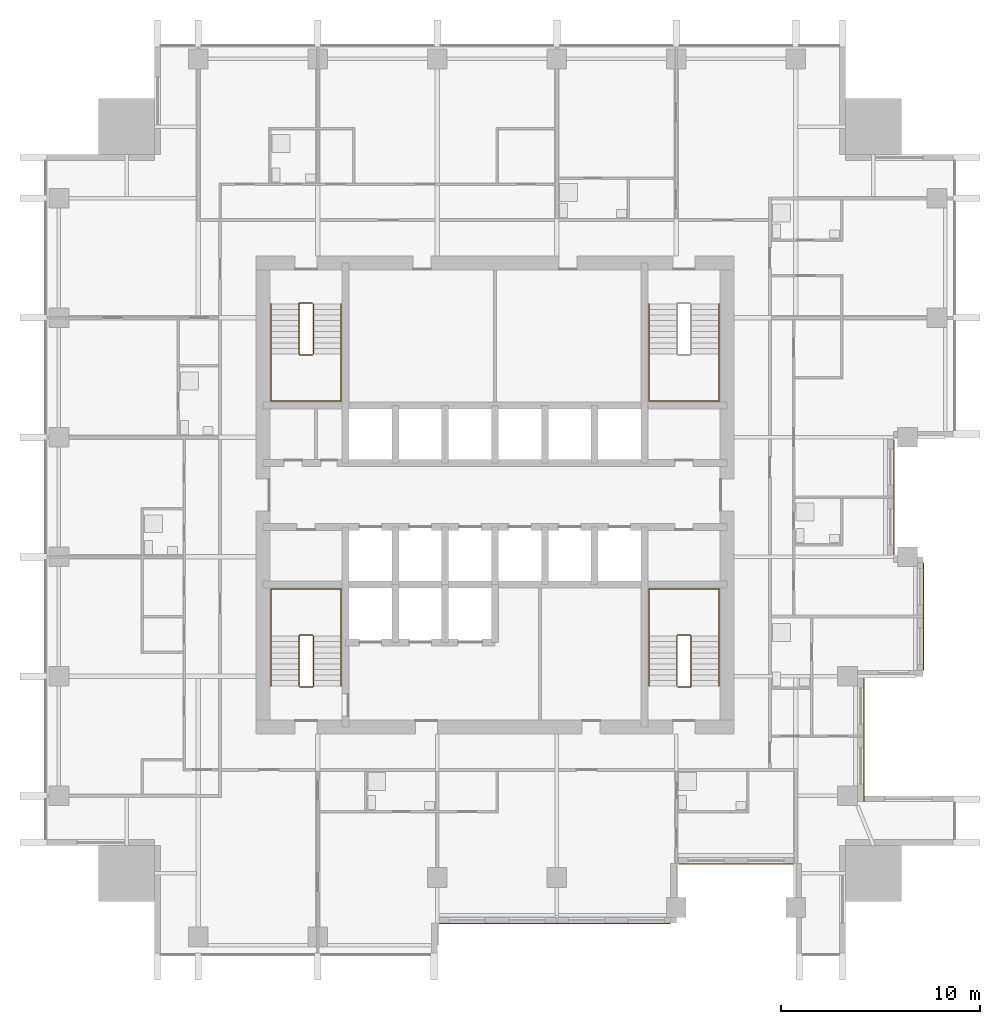
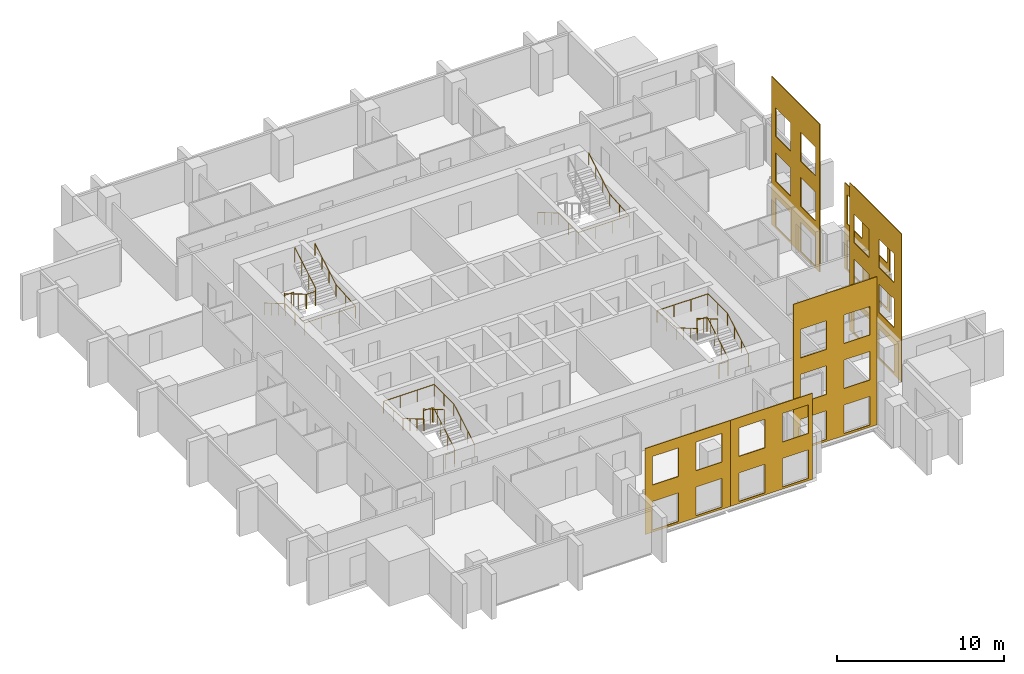
# One storey, part 9 of 11: 7 railings, 6 coverings.
"""IFC4 building model written with IfcOpenShell, lengths in metres."""

from ifc_helpers import new_model, si_unit, direction, frame, origin, origin_2d, place, context, subcontext, project, spatial, polyline, circle, outline, extrude, material, layer, layer_set, type_object, element, save


model = new_model("IFC4")

# Units and contexts
model_context = context("Model", 3, precision=1e-05, world=origin(), true_north=direction((0.0, 1.0)))
body_context = subcontext(model_context, "Body", "Model", "MODEL_VIEW")
ifc_project = project(units=[si_unit("LENGTHUNIT", "METRE"), si_unit("AREAUNIT", "SQUARE_METRE"), si_unit("VOLUMEUNIT", "CUBIC_METRE"), si_unit("PLANEANGLEUNIT", "RADIAN"), si_unit("MASSUNIT", "GRAM", prefix="KILO")], contexts=[model_context])

# Site, building, storey
site_placement = place(None, origin())
site = spatial("IfcSite", under=ifc_project, at=site_placement, CompositionType="ELEMENT")
building_placement = place(site_placement, origin())
building = spatial("IfcBuilding", under=site, at=building_placement, Name="Amberfall Residences", CompositionType="ELEMENT")
storey_placement = place(building_placement, frame((0.0, 0.0, 143.800048828125)))
storey = spatial("IfcBuildingStorey", under=building, at=storey_placement, Name="L38", CompositionType="ELEMENT", Elevation=143.800048828125)

# Coverings
ifc_material_1 = material(Name="Pale limestone cladding", Category="masonry")
ifc_layer = layer(ifc_material_1, 0.050048828125)
ifc_layer_set = layer_set([ifc_layer], Name="Limestone fascia 50")
covering_type = type_object("IfcCoveringType", Name="Limestone fascia 50", PredefinedType="CLADDING", material=ifc_layer_set)
covering_1_placement = place(storey_placement, frame((93.0, 30.10009765625, 10.849853515625), z_axis=(-1.0, 0.0, 0.0), x_axis=(0.0, 1.0, 0.0)))
element("IfcCovering", 1, at=covering_1_placement, inside=storey, type_object=covering_type, Name="Pale limestone cladding L38-L40 E", PredefinedType="CLADDING", context=body_context, shape_type="SweptSolid", body=[
    extrude(outline(polyline([(0.0, 0.0), (6.2099609375, 0.0), (6.2099609375, 10.849853515625), (0.0, 10.849853515625), (0.0, 0.0)]), holes=[polyline([(0.89990234375, 8.599853515625), (2.699951171875, 8.599853515625), (2.699951171875, 10.699951171875), (0.89990234375, 10.699951171875), (0.89990234375, 8.599853515625)]), polyline([(3.89990234375, 8.599853515625), (5.699951171875, 8.599853515625), (5.699951171875, 10.699951171875), (3.89990234375, 10.699951171875), (3.89990234375, 8.599853515625)]), polyline([(0.89990234375, 5.2998046875), (2.699951171875, 5.2998046875), (2.699951171875, 7.39990234375), (0.89990234375, 7.39990234375), (0.89990234375, 5.2998046875)]), polyline([(3.89990234375, 5.2998046875), (5.699951171875, 5.2998046875), (5.699951171875, 7.39990234375), (3.89990234375, 7.39990234375), (3.89990234375, 5.2998046875)]), polyline([(0.89990234375, 2.0), (2.699951171875, 2.0), (2.699951171875, 4.099853515625), (0.89990234375, 4.099853515625), (0.89990234375, 2.0)]), polyline([(3.89990234375, 2.0), (5.699951171875, 2.0), (5.699951171875, 4.099853515625), (3.89990234375, 4.099853515625), (3.89990234375, 2.0)])]), origin(), (0.0, 0.0, -1.0), 0.050048828125),
])
covering_2_placement = place(storey_placement, frame((71.68994140625, 24.0, 6.300048828125), z_axis=(0.0, 1.0, 0.0), x_axis=(1.0, 0.0, 0.0)))
element("IfcCovering", 2, at=covering_2_placement, inside=storey, type_object=covering_type, Name="Pale limestone cladding L38-L39 S", PredefinedType="CLADDING", context=body_context, shape_type="SweptSolid", body=[
    extrude(outline(polyline([(0.0, 0.0), (5.91015625, 0.0), (5.91015625, 6.300048828125), (0.0, 6.300048828125), (0.0, 0.0)]), holes=[polyline([(0.510009765625, 4.050048828125), (2.31005859375, 4.050048828125), (2.31005859375, 6.150146484375), (0.510009765625, 6.150146484375), (0.510009765625, 4.050048828125)]), polyline([(3.510009765625, 4.050048828125), (5.31005859375, 4.050048828125), (5.31005859375, 6.150146484375), (3.510009765625, 6.150146484375), (3.510009765625, 4.050048828125)]), polyline([(0.510009765625, 0.75), (2.31005859375, 0.75), (2.31005859375, 2.85009765625), (0.510009765625, 2.85009765625), (0.510009765625, 0.75)]), polyline([(3.510009765625, 0.75), (5.31005859375, 0.75), (5.31005859375, 2.85009765625), (3.510009765625, 2.85009765625), (3.510009765625, 0.75)])]), origin(), (0.0, 0.0, -1.0), 0.050048828125),
])
covering_3_placement = place(storey_placement, frame((77.60009765625, 24.0, 6.300048828125), z_axis=(0.0, 1.0, 0.0), x_axis=(1.0, 0.0, 0.0)))
element("IfcCovering", 3, at=covering_3_placement, inside=storey, type_object=covering_type, Name="Pale limestone cladding L38-L39 S", PredefinedType="CLADDING", context=body_context, shape_type="SweptSolid", body=[
    extrude(outline(polyline([(0.0, 0.0), (5.699951171875, 0.0), (5.699951171875, 6.300048828125), (0.0, 6.300048828125), (0.0, 0.0)]), holes=[polyline([(0.599853515625, 4.050048828125), (2.39990234375, 4.050048828125), (2.39990234375, 6.150146484375), (0.599853515625, 6.150146484375), (0.599853515625, 4.050048828125)]), polyline([(3.599853515625, 4.050048828125), (5.39990234375, 4.050048828125), (5.39990234375, 6.150146484375), (3.599853515625, 6.150146484375), (3.599853515625, 4.050048828125)]), polyline([(0.599853515625, 0.75), (2.39990234375, 0.75), (2.39990234375, 2.85009765625), (0.599853515625, 2.85009765625), (0.599853515625, 0.75)]), polyline([(3.599853515625, 0.75), (5.39990234375, 0.75), (5.39990234375, 2.85009765625), (3.599853515625, 2.85009765625), (3.599853515625, 0.75)])]), origin(), (0.0, 0.0, -1.0), 0.050048828125),
])
covering_4_placement = place(storey_placement, frame((83.699951171875, 27.0, 10.849853515625), z_axis=(0.0, 1.0, 0.0), x_axis=(1.0, 0.0, 0.0)))
element("IfcCovering", 4, at=covering_4_placement, inside=storey, type_object=covering_type, Name="Pale limestone cladding L38-L40 S", PredefinedType="CLADDING", context=body_context, shape_type="SweptSolid", body=[
    extrude(outline(polyline([(0.0, 0.0), (5.7900390625, 0.0), (5.7900390625, 10.849853515625), (0.0, 10.849853515625), (0.0, 0.0)]), holes=[polyline([(0.5, 8.599853515625), (2.300048828125, 8.599853515625), (2.300048828125, 10.699951171875), (0.5, 10.699951171875), (0.5, 8.599853515625)]), polyline([(3.5, 8.599853515625), (5.300048828125, 8.599853515625), (5.300048828125, 10.699951171875), (3.5, 10.699951171875), (3.5, 8.599853515625)]), polyline([(0.5, 5.2998046875), (2.300048828125, 5.2998046875), (2.300048828125, 7.39990234375), (0.5, 7.39990234375), (0.5, 5.2998046875)]), polyline([(3.5, 5.2998046875), (5.300048828125, 5.2998046875), (5.300048828125, 7.39990234375), (3.5, 7.39990234375), (3.5, 5.2998046875)]), polyline([(0.5, 2.0), (2.300048828125, 2.0), (2.300048828125, 4.099853515625), (0.5, 4.099853515625), (0.5, 2.0)]), polyline([(3.5, 2.0), (5.300048828125, 2.0), (5.300048828125, 4.099853515625), (3.5, 4.099853515625), (3.5, 2.0)])]), origin(), (0.0, 0.0, -1.0), 0.050048828125),
])
covering_5_placement = place(storey_placement, frame((96.0, 36.699951171875, 6.300048828125), z_axis=(-1.0, 0.0, 0.0), x_axis=(0.0, 1.0, 0.0)))
element("IfcCovering", 5, at=covering_5_placement, inside=storey, type_object=covering_type, Name="Pale limestone cladding L38-L39 E", PredefinedType="CLADDING", context=body_context, shape_type="SweptSolid", body=[
    extrude(outline(polyline([(0.0, 0.0), (5.400146484375, 0.0), (5.400146484375, 6.300048828125), (0.0, 6.300048828125), (0.0, 0.0)]), holes=[polyline([(0.300048828125, 4.050048828125), (2.10009765625, 4.050048828125), (2.10009765625, 6.150146484375), (0.300048828125, 6.150146484375), (0.300048828125, 4.050048828125)]), polyline([(3.300048828125, 4.050048828125), (5.10009765625, 4.050048828125), (5.10009765625, 6.150146484375), (3.300048828125, 6.150146484375), (3.300048828125, 4.050048828125)]), polyline([(0.300048828125, 0.75), (2.10009765625, 0.75), (2.10009765625, 2.85009765625), (0.300048828125, 2.85009765625), (0.300048828125, 0.75)]), polyline([(3.300048828125, 0.75), (5.10009765625, 0.75), (5.10009765625, 2.85009765625), (3.300048828125, 2.85009765625), (3.300048828125, 0.75)])]), origin(), (0.0, 0.0, -1.0), 0.050048828125),
])
covering_6_placement = place(storey_placement, frame((94.5, 42.5, 10.849853515625), z_axis=(-1.0, 0.0, 0.0), x_axis=(0.0, 1.0, 0.0)))
element("IfcCovering", 6, at=covering_6_placement, inside=storey, type_object=covering_type, Name="Pale limestone cladding L38-L40 E", PredefinedType="CLADDING", context=body_context, shape_type="SweptSolid", body=[
    extrude(outline(polyline([(0.0, 0.0), (5.800048828125, 0.0), (5.800048828125, 10.849853515625), (0.0, 10.849853515625), (0.0, 0.0)]), holes=[polyline([(0.5, 8.599853515625), (2.300048828125, 8.599853515625), (2.300048828125, 10.699951171875), (0.5, 10.699951171875), (0.5, 8.599853515625)]), polyline([(3.5, 8.599853515625), (5.300048828125, 8.599853515625), (5.300048828125, 10.699951171875), (3.5, 10.699951171875), (3.5, 8.599853515625)]), polyline([(0.5, 5.2998046875), (2.300048828125, 5.2998046875), (2.300048828125, 7.39990234375), (0.5, 7.39990234375), (0.5, 5.2998046875)]), polyline([(3.5, 5.2998046875), (5.300048828125, 5.2998046875), (5.300048828125, 7.39990234375), (3.5, 7.39990234375), (3.5, 5.2998046875)]), polyline([(0.5, 2.0), (2.300048828125, 2.0), (2.300048828125, 4.099853515625), (0.5, 4.099853515625), (0.5, 2.0)]), polyline([(3.5, 2.0), (5.300048828125, 2.0), (5.300048828125, 4.099853515625), (3.5, 4.099853515625), (3.5, 2.0)])]), origin(), (0.0, 0.0, -1.0), 0.050048828125),
])

# Railings
ifc_material_2 = material(Name="Stainless steel 316", Category="steel")
railing_type_1 = type_object("IfcRailingType", Name="Stair guard 1100", PredefinedType="GUARDRAIL", material=ifc_material_2)
railing_1_placement = place(storey_placement, frame((64.699951171875, 35.85009765625, 0.0)))
element("IfcRailing", 7, at=railing_1_placement, inside=storey, type_object=railing_type_1, Name="L38 stair 1 guard", PredefinedType="GUARDRAIL", context=body_context, shape_type="SweptSolid", body=[
    extrude(circle(Radius=0.02392578125, at=origin_2d()), frame((0.0, 0.0, 1.076171875), z_axis=(1.0, 0.0, 0.0), x_axis=(0.0, 1.0, 0.0)), (0.0, 0.0, 1.0), 0.625),
    extrude(circle(Radius=0.02392578125, at=origin_2d()), frame((0.625, 0.0, 1.076171875), z_axis=(0.278810427259, 0.277450376394, 0.919394384522), x_axis=(-0.705375805398, 0.708833529934, 0.0)), (0.0, 0.0, 1.0), 0.179443359375),
    extrude(circle(Radius=0.02392578125, at=origin_2d()), frame((0.675048828125, 0.0498046875, 1.2412109375), z_axis=(0.0, 0.861560626758, 0.507654692109), x_axis=(-1.0, 0.0, 0.0)), (0.0, 0.0, 1.0), 2.925048828125),
    extrude(circle(Radius=0.02392578125, at=origin_2d()), frame((0.675048828125, 2.56982421875, 2.72607421875), z_axis=(-0.707106781187, 0.707106781187, 0.0), x_axis=(-0.707106781187, -0.707106781187, 0.0)), (0.0, 0.0, 1.0), 0.07080078125),
    extrude(circle(Radius=0.02392578125, at=origin_2d()), frame((0.625, 2.619873046875, 2.72607421875), z_axis=(-1.0, 0.0, 0.0), x_axis=(0.0, -1.0, 0.0)), (0.0, 0.0, 1.0), 0.625),
    extrude(circle(Radius=0.02392578125, at=origin_2d()), frame((0.0, 2.619873046875, 2.72607421875), z_axis=(-0.278705021027, -0.278705021027, 0.919046801044), x_axis=(0.707106781187, -0.707106781187, 0.0)), (0.0, 0.0, 1.0), 0.1796875),
    extrude(circle(Radius=0.02392578125, at=origin_2d()), frame((-0.050048828125, 2.56982421875, 2.89111328125), z_axis=(0.0, -0.86152411907, 0.507716645641), x_axis=(1.0, 0.0, 0.0)), (0.0, 0.0, 1.0), 2.925048828125),
    extrude(circle(Radius=0.02099609375, at=origin_2d()), origin(), (0.0, 0.0, 1.0), 1.052001953125),
    extrude(circle(Radius=0.02099609375, at=origin_2d()), frame((0.625, 0.0, 0.0)), (0.0, 0.0, 1.0), 1.052001953125),
    extrude(circle(Radius=0.02099609375, at=origin_2d()), frame((0.675048828125, 0.0498046875, 0.1650390625)), (0.0, 0.0, 1.0), 1.052001953125),
    extrude(circle(Radius=0.02099609375, at=origin_2d()), frame((0.675048828125, 0.889892578125, 0.659912109375)), (0.0, 0.0, 1.0), 1.052001953125),
    extrude(circle(Radius=0.02099609375, at=origin_2d()), frame((0.675048828125, 1.729736328125, 1.155029296875)), (0.0, 0.0, 1.0), 1.052001953125),
    extrude(circle(Radius=0.02099609375, at=origin_2d()), frame((0.675048828125, 2.56982421875, 1.64990234375)), (0.0, 0.0, 1.0), 1.052001953125),
    extrude(circle(Radius=0.02099609375, at=origin_2d()), frame((0.625, 2.619873046875, 1.64990234375)), (0.0, 0.0, 1.0), 1.052001953125),
    extrude(circle(Radius=0.02099609375, at=origin_2d()), frame((0.0, 2.619873046875, 1.64990234375)), (0.0, 0.0, 1.0), 1.052001953125),
    extrude(circle(Radius=0.02099609375, at=origin_2d()), frame((-0.050048828125, 2.56982421875, 1.81494140625)), (0.0, 0.0, 1.0), 1.052001953125),
    extrude(circle(Radius=0.02099609375, at=origin_2d()), frame((-0.050048828125, 1.729736328125, 2.31005859375)), (0.0, 0.0, 1.0), 1.052001953125),
    extrude(circle(Radius=0.02099609375, at=origin_2d()), frame((-0.050048828125, 0.889892578125, 2.804931640625)), (0.0, 0.0, 1.0), 1.052001953125),
    extrude(circle(Radius=0.02099609375, at=origin_2d()), frame((-0.050048828125, 0.0498046875, 3.300048828125)), (0.0, 0.0, 1.0), 1.052001953125),
])
railing_2_placement = place(storey_placement, frame((83.675048828125, 35.85009765625, 0.0)))
element("IfcRailing", 8, at=railing_2_placement, inside=storey, type_object=railing_type_1, Name="L38 stair 2 guard", PredefinedType="GUARDRAIL", context=body_context, shape_type="SweptSolid", body=[
    extrude(circle(Radius=0.02392578125, at=origin_2d()), frame((0.0, 0.0, 1.076171875), z_axis=(1.0, 0.0, 0.0), x_axis=(0.0, 1.0, 0.0)), (0.0, 0.0, 1.0), 0.625),
    extrude(circle(Radius=0.02392578125, at=origin_2d()), frame((0.625, 0.0, 1.076171875), z_axis=(0.278810427259, 0.277450376394, 0.919394384522), x_axis=(-0.705375805398, 0.708833529934, 0.0)), (0.0, 0.0, 1.0), 0.179443359375),
    extrude(circle(Radius=0.02392578125, at=origin_2d()), frame((0.675048828125, 0.0498046875, 1.2412109375), z_axis=(0.0, 0.861560626758, 0.507654692109), x_axis=(-1.0, 0.0, 0.0)), (0.0, 0.0, 1.0), 2.925048828125),
    extrude(circle(Radius=0.02392578125, at=origin_2d()), frame((0.675048828125, 2.56982421875, 2.72607421875), z_axis=(-0.707106781187, 0.707106781187, 0.0), x_axis=(-0.707106781187, -0.707106781187, 0.0)), (0.0, 0.0, 1.0), 0.07080078125),
    extrude(circle(Radius=0.02392578125, at=origin_2d()), frame((0.625, 2.619873046875, 2.72607421875), z_axis=(-1.0, 0.0, 0.0), x_axis=(0.0, -1.0, 0.0)), (0.0, 0.0, 1.0), 0.625),
    extrude(circle(Radius=0.02392578125, at=origin_2d()), frame((0.0, 2.619873046875, 2.72607421875), z_axis=(-0.278705021027, -0.278705021027, 0.919046801044), x_axis=(0.707106781187, -0.707106781187, 0.0)), (0.0, 0.0, 1.0), 0.1796875),
    extrude(circle(Radius=0.02392578125, at=origin_2d()), frame((-0.050048828125, 2.56982421875, 2.89111328125), z_axis=(0.0, -0.86152411907, 0.507716645641), x_axis=(1.0, 0.0, 0.0)), (0.0, 0.0, 1.0), 2.925048828125),
    extrude(circle(Radius=0.02099609375, at=origin_2d()), origin(), (0.0, 0.0, 1.0), 1.052001953125),
    extrude(circle(Radius=0.02099609375, at=origin_2d()), frame((0.625, 0.0, 0.0)), (0.0, 0.0, 1.0), 1.052001953125),
    extrude(circle(Radius=0.02099609375, at=origin_2d()), frame((0.675048828125, 0.0498046875, 0.1650390625)), (0.0, 0.0, 1.0), 1.052001953125),
    extrude(circle(Radius=0.02099609375, at=origin_2d()), frame((0.675048828125, 0.889892578125, 0.659912109375)), (0.0, 0.0, 1.0), 1.052001953125),
    extrude(circle(Radius=0.02099609375, at=origin_2d()), frame((0.675048828125, 1.729736328125, 1.155029296875)), (0.0, 0.0, 1.0), 1.052001953125),
    extrude(circle(Radius=0.02099609375, at=origin_2d()), frame((0.675048828125, 2.56982421875, 1.64990234375)), (0.0, 0.0, 1.0), 1.052001953125),
    extrude(circle(Radius=0.02099609375, at=origin_2d()), frame((0.625, 2.619873046875, 1.64990234375)), (0.0, 0.0, 1.0), 1.052001953125),
    extrude(circle(Radius=0.02099609375, at=origin_2d()), frame((0.0, 2.619873046875, 1.64990234375)), (0.0, 0.0, 1.0), 1.052001953125),
    extrude(circle(Radius=0.02099609375, at=origin_2d()), frame((-0.050048828125, 2.56982421875, 1.81494140625)), (0.0, 0.0, 1.0), 1.052001953125),
    extrude(circle(Radius=0.02099609375, at=origin_2d()), frame((-0.050048828125, 1.729736328125, 2.31005859375)), (0.0, 0.0, 1.0), 1.052001953125),
    extrude(circle(Radius=0.02099609375, at=origin_2d()), frame((-0.050048828125, 0.889892578125, 2.804931640625)), (0.0, 0.0, 1.0), 1.052001953125),
    extrude(circle(Radius=0.02099609375, at=origin_2d()), frame((-0.050048828125, 0.0498046875, 3.300048828125)), (0.0, 0.0, 1.0), 1.052001953125),
])
railing_3_placement = place(storey_placement, frame((65.324951171875, 55.14990234375, 0.0)))
element("IfcRailing", 9, at=railing_3_placement, inside=storey, type_object=railing_type_1, Name="L38 stair 4 guard", PredefinedType="GUARDRAIL", context=body_context, shape_type="SweptSolid", body=[
    extrude(circle(Radius=0.02392578125, at=origin_2d()), frame((0.0, 0.0, 1.076171875), z_axis=(-1.0, 0.0, 0.0), x_axis=(0.0, -1.0, 0.0)), (0.0, 0.0, 1.0), 0.625),
    extrude(circle(Radius=0.02392578125, at=origin_2d()), frame((-0.625, 0.0, 1.076171875), z_axis=(-0.278810427259, -0.277450376394, 0.919394384522), x_axis=(0.705375805398, -0.708833529934, 0.0)), (0.0, 0.0, 1.0), 0.179443359375),
    extrude(circle(Radius=0.02392578125, at=origin_2d()), frame((-0.675048828125, -0.0498046875, 1.2412109375), z_axis=(0.0, -0.861560626758, 0.507654692109), x_axis=(1.0, 0.0, 0.0)), (0.0, 0.0, 1.0), 2.925048828125),
    extrude(circle(Radius=0.02392578125, at=origin_2d()), frame((-0.675048828125, -2.56982421875, 2.72607421875), z_axis=(0.707106781187, -0.707106781187, 0.0), x_axis=(0.707106781187, 0.707106781187, 0.0)), (0.0, 0.0, 1.0), 0.07080078125),
    extrude(circle(Radius=0.02392578125, at=origin_2d()), frame((-0.625, -2.619873046875, 2.72607421875), z_axis=(1.0, 0.0, 0.0), x_axis=(0.0, 1.0, 0.0)), (0.0, 0.0, 1.0), 0.625),
    extrude(circle(Radius=0.02392578125, at=origin_2d()), frame((0.0, -2.619873046875, 2.72607421875), z_axis=(0.278705021027, 0.278705021027, 0.919046801044), x_axis=(-0.707106781187, 0.707106781187, 0.0)), (0.0, 0.0, 1.0), 0.1796875),
    extrude(circle(Radius=0.02392578125, at=origin_2d()), frame((0.050048828125, -2.56982421875, 2.89111328125), z_axis=(0.0, 0.86152411907, 0.507716645641), x_axis=(-1.0, 0.0, 0.0)), (0.0, 0.0, 1.0), 2.925048828125),
    extrude(circle(Radius=0.02099609375, at=origin_2d()), origin(), (0.0, 0.0, 1.0), 1.052001953125),
    extrude(circle(Radius=0.02099609375, at=origin_2d()), frame((-0.625, 0.0, 0.0)), (0.0, 0.0, 1.0), 1.052001953125),
    extrude(circle(Radius=0.02099609375, at=origin_2d()), frame((-0.675048828125, -0.0498046875, 0.1650390625)), (0.0, 0.0, 1.0), 1.052001953125),
    extrude(circle(Radius=0.02099609375, at=origin_2d()), frame((-0.675048828125, -0.889892578125, 0.659912109375)), (0.0, 0.0, 1.0), 1.052001953125),
    extrude(circle(Radius=0.02099609375, at=origin_2d()), frame((-0.675048828125, -1.729736328125, 1.155029296875)), (0.0, 0.0, 1.0), 1.052001953125),
    extrude(circle(Radius=0.02099609375, at=origin_2d()), frame((-0.675048828125, -2.56982421875, 1.64990234375)), (0.0, 0.0, 1.0), 1.052001953125),
    extrude(circle(Radius=0.02099609375, at=origin_2d()), frame((-0.625, -2.619873046875, 1.64990234375)), (0.0, 0.0, 1.0), 1.052001953125),
    extrude(circle(Radius=0.02099609375, at=origin_2d()), frame((0.0, -2.619873046875, 1.64990234375)), (0.0, 0.0, 1.0), 1.052001953125),
    extrude(circle(Radius=0.02099609375, at=origin_2d()), frame((0.050048828125, -2.56982421875, 1.81494140625)), (0.0, 0.0, 1.0), 1.052001953125),
    extrude(circle(Radius=0.02099609375, at=origin_2d()), frame((0.050048828125, -1.729736328125, 2.31005859375)), (0.0, 0.0, 1.0), 1.052001953125),
    extrude(circle(Radius=0.02099609375, at=origin_2d()), frame((0.050048828125, -0.889892578125, 2.804931640625)), (0.0, 0.0, 1.0), 1.052001953125),
    extrude(circle(Radius=0.02099609375, at=origin_2d()), frame((0.050048828125, -0.0498046875, 3.300048828125)), (0.0, 0.0, 1.0), 1.052001953125),
])
railing_type_2 = type_object("IfcRailingType", Name="Stair handrail 900", PredefinedType="HANDRAIL", material=ifc_material_2)
railing_4_placement = place(storey_placement, frame((66.77490234375, 35.89990234375, 0.1650390625)))
element("IfcRailing", 10, at=railing_4_placement, inside=storey, type_object=railing_type_2, Name="L38 stair 1 handrail", PredefinedType="HANDRAIL", context=body_context, shape_type="SweptSolid", body=[
    extrude(circle(Radius=0.02392578125, at=origin_2d()), frame((0.0, 0.0, 0.8759765625), z_axis=(0.0, 0.861560626758, 0.507654692109), x_axis=(-1.0, 0.0, 0.0)), (0.0, 0.0, 1.0), 2.925048828125),
    extrude(circle(Radius=0.02392578125, at=origin_2d()), frame((0.0, 2.52001953125, 2.36083984375), z_axis=(0.0, 1.0, 0.0), x_axis=(-1.0, 0.0, 0.0)), (0.0, 0.0, 1.0), 2.35498046875),
    extrude(circle(Radius=0.02392578125, at=origin_2d()), frame((0.0, 4.875, 2.36083984375), z_axis=(-1.0, 0.0, 0.0), x_axis=(0.0, -1.0, 0.0)), (0.0, 0.0, 1.0), 3.52490234375),
    extrude(circle(Radius=0.02392578125, at=origin_2d()), frame((-3.52490234375, 4.875, 2.36083984375), z_axis=(0.0, -0.997553344917, 0.069909398835), x_axis=(1.0, 0.0, 0.0)), (0.0, 0.0, 1.0), 2.36083984375),
    extrude(circle(Radius=0.02392578125, at=origin_2d()), frame((-3.52490234375, 2.52001953125, 2.52587890625), z_axis=(0.0, -0.86152411907, 0.507716645641), x_axis=(1.0, 0.0, 0.0)), (0.0, 0.0, 1.0), 2.925048828125),
    extrude(circle(Radius=0.02099609375, at=origin_2d()), origin(), (0.0, 0.0, 1.0), 0.851806640625),
    extrude(circle(Radius=0.02099609375, at=origin_2d()), frame((0.0, 0.840087890625, 0.494873046875)), (0.0, 0.0, 1.0), 0.851806640625),
    extrude(circle(Radius=0.02099609375, at=origin_2d()), frame((0.0, 1.679931640625, 0.989990234375)), (0.0, 0.0, 1.0), 0.851806640625),
    extrude(circle(Radius=0.02099609375, at=origin_2d()), frame((0.0, 2.52001953125, 1.48486328125)), (0.0, 0.0, 1.0), 0.851806640625),
    extrude(circle(Radius=0.02099609375, at=origin_2d()), frame((0.0, 3.697509765625, 1.48486328125)), (0.0, 0.0, 1.0), 0.851806640625),
    extrude(circle(Radius=0.02099609375, at=origin_2d()), frame((0.0, 4.875, 1.48486328125)), (0.0, 0.0, 1.0), 0.851806640625),
    extrude(circle(Radius=0.02099609375, at=origin_2d()), frame((-1.175048828125, 4.875, 1.48486328125)), (0.0, 0.0, 1.0), 0.851806640625),
    extrude(circle(Radius=0.02099609375, at=origin_2d()), frame((-2.349853515625, 4.875, 1.48486328125)), (0.0, 0.0, 1.0), 0.851806640625),
    extrude(circle(Radius=0.02099609375, at=origin_2d()), frame((-3.52490234375, 4.875, 1.48486328125)), (0.0, 0.0, 1.0), 0.851806640625),
    extrude(circle(Radius=0.02099609375, at=origin_2d()), frame((-3.52490234375, 3.697509765625, 1.5673828125)), (0.0, 0.0, 1.0), 0.851806640625),
    extrude(circle(Radius=0.02099609375, at=origin_2d()), frame((-3.52490234375, 2.52001953125, 1.64990234375)), (0.0, 0.0, 1.0), 0.851806640625),
    extrude(circle(Radius=0.02099609375, at=origin_2d()), frame((-3.52490234375, 1.679931640625, 2.14501953125)), (0.0, 0.0, 1.0), 0.851806640625),
    extrude(circle(Radius=0.02099609375, at=origin_2d()), frame((-3.52490234375, 0.840087890625, 2.639892578125)), (0.0, 0.0, 1.0), 0.851806640625),
    extrude(circle(Radius=0.02099609375, at=origin_2d()), frame((-3.52490234375, 0.0, 3.135009765625)), (0.0, 0.0, 1.0), 0.851806640625),
])
railing_5_placement = place(storey_placement, frame((85.75, 35.89990234375, 0.1650390625)))
element("IfcRailing", 11, at=railing_5_placement, inside=storey, type_object=railing_type_2, Name="L38 stair 2 handrail", PredefinedType="HANDRAIL", context=body_context, shape_type="SweptSolid", body=[
    extrude(circle(Radius=0.02392578125, at=origin_2d()), frame((0.0, 0.0, 0.8759765625), z_axis=(0.0, 0.861560626758, 0.507654692109), x_axis=(-1.0, 0.0, 0.0)), (0.0, 0.0, 1.0), 2.925048828125),
    extrude(circle(Radius=0.02392578125, at=origin_2d()), frame((0.0, 2.52001953125, 2.36083984375), z_axis=(0.0, 1.0, 0.0), x_axis=(-1.0, 0.0, 0.0)), (0.0, 0.0, 1.0), 2.35498046875),
    extrude(circle(Radius=0.02392578125, at=origin_2d()), frame((0.0, 4.875, 2.36083984375), z_axis=(-1.0, 0.0, 0.0), x_axis=(0.0, -1.0, 0.0)), (0.0, 0.0, 1.0), 3.52490234375),
    extrude(circle(Radius=0.02392578125, at=origin_2d()), frame((-3.52490234375, 4.875, 2.36083984375), z_axis=(0.0, -0.997553344917, 0.069909398835), x_axis=(1.0, 0.0, 0.0)), (0.0, 0.0, 1.0), 2.36083984375),
    extrude(circle(Radius=0.02392578125, at=origin_2d()), frame((-3.52490234375, 2.52001953125, 2.52587890625), z_axis=(0.0, -0.86152411907, 0.507716645641), x_axis=(1.0, 0.0, 0.0)), (0.0, 0.0, 1.0), 2.925048828125),
    extrude(circle(Radius=0.02099609375, at=origin_2d()), origin(), (0.0, 0.0, 1.0), 0.851806640625),
    extrude(circle(Radius=0.02099609375, at=origin_2d()), frame((0.0, 0.840087890625, 0.494873046875)), (0.0, 0.0, 1.0), 0.851806640625),
    extrude(circle(Radius=0.02099609375, at=origin_2d()), frame((0.0, 1.679931640625, 0.989990234375)), (0.0, 0.0, 1.0), 0.851806640625),
    extrude(circle(Radius=0.02099609375, at=origin_2d()), frame((0.0, 2.52001953125, 1.48486328125)), (0.0, 0.0, 1.0), 0.851806640625),
    extrude(circle(Radius=0.02099609375, at=origin_2d()), frame((0.0, 3.697509765625, 1.48486328125)), (0.0, 0.0, 1.0), 0.851806640625),
    extrude(circle(Radius=0.02099609375, at=origin_2d()), frame((0.0, 4.875, 1.48486328125)), (0.0, 0.0, 1.0), 0.851806640625),
    extrude(circle(Radius=0.02099609375, at=origin_2d()), frame((-1.175048828125, 4.875, 1.48486328125)), (0.0, 0.0, 1.0), 0.851806640625),
    extrude(circle(Radius=0.02099609375, at=origin_2d()), frame((-2.349853515625, 4.875, 1.48486328125)), (0.0, 0.0, 1.0), 0.851806640625),
    extrude(circle(Radius=0.02099609375, at=origin_2d()), frame((-3.52490234375, 4.875, 1.48486328125)), (0.0, 0.0, 1.0), 0.851806640625),
    extrude(circle(Radius=0.02099609375, at=origin_2d()), frame((-3.52490234375, 3.697509765625, 1.5673828125)), (0.0, 0.0, 1.0), 0.851806640625),
    extrude(circle(Radius=0.02099609375, at=origin_2d()), frame((-3.52490234375, 2.52001953125, 1.64990234375)), (0.0, 0.0, 1.0), 0.851806640625),
    extrude(circle(Radius=0.02099609375, at=origin_2d()), frame((-3.52490234375, 1.679931640625, 2.14501953125)), (0.0, 0.0, 1.0), 0.851806640625),
    extrude(circle(Radius=0.02099609375, at=origin_2d()), frame((-3.52490234375, 0.840087890625, 2.639892578125)), (0.0, 0.0, 1.0), 0.851806640625),
    extrude(circle(Radius=0.02099609375, at=origin_2d()), frame((-3.52490234375, 0.0, 3.135009765625)), (0.0, 0.0, 1.0), 0.851806640625),
])
railing_6_placement = place(storey_placement, frame((82.22509765625, 55.10009765625, 0.1650390625)))
element("IfcRailing", 12, at=railing_6_placement, inside=storey, type_object=railing_type_2, Name="L38 stair 3 handrail", PredefinedType="HANDRAIL", context=body_context, shape_type="SweptSolid", body=[
    extrude(circle(Radius=0.02392578125, at=origin_2d()), frame((0.0, 0.0, 0.8759765625), z_axis=(0.0, -0.861560626758, 0.507654692109), x_axis=(1.0, 0.0, 0.0)), (0.0, 0.0, 1.0), 2.925048828125),
    extrude(circle(Radius=0.02392578125, at=origin_2d()), frame((0.0, -2.52001953125, 2.36083984375), z_axis=(0.0, -1.0, 0.0), x_axis=(1.0, 0.0, 0.0)), (0.0, 0.0, 1.0), 2.35498046875),
    extrude(circle(Radius=0.02392578125, at=origin_2d()), frame((0.0, -4.875, 2.36083984375), z_axis=(1.0, 0.0, 0.0), x_axis=(0.0, 1.0, 0.0)), (0.0, 0.0, 1.0), 3.52490234375),
    extrude(circle(Radius=0.02392578125, at=origin_2d()), frame((3.52490234375, -4.875, 2.36083984375), z_axis=(0.0, 0.997553344917, 0.069909398835), x_axis=(-1.0, 0.0, 0.0)), (0.0, 0.0, 1.0), 2.36083984375),
    extrude(circle(Radius=0.02392578125, at=origin_2d()), frame((3.52490234375, -2.52001953125, 2.52587890625), z_axis=(0.0, 0.86152411907, 0.507716645641), x_axis=(-1.0, 0.0, 0.0)), (0.0, 0.0, 1.0), 2.925048828125),
    extrude(circle(Radius=0.02099609375, at=origin_2d()), origin(), (0.0, 0.0, 1.0), 0.851806640625),
    extrude(circle(Radius=0.02099609375, at=origin_2d()), frame((0.0, -0.840087890625, 0.494873046875)), (0.0, 0.0, 1.0), 0.851806640625),
    extrude(circle(Radius=0.02099609375, at=origin_2d()), frame((0.0, -1.679931640625, 0.989990234375)), (0.0, 0.0, 1.0), 0.851806640625),
    extrude(circle(Radius=0.02099609375, at=origin_2d()), frame((0.0, -2.52001953125, 1.48486328125)), (0.0, 0.0, 1.0), 0.851806640625),
    extrude(circle(Radius=0.02099609375, at=origin_2d()), frame((0.0, -3.697509765625, 1.48486328125)), (0.0, 0.0, 1.0), 0.851806640625),
    extrude(circle(Radius=0.02099609375, at=origin_2d()), frame((0.0, -4.875, 1.48486328125)), (0.0, 0.0, 1.0), 0.851806640625),
    extrude(circle(Radius=0.02099609375, at=origin_2d()), frame((1.175048828125, -4.875, 1.48486328125)), (0.0, 0.0, 1.0), 0.851806640625),
    extrude(circle(Radius=0.02099609375, at=origin_2d()), frame((2.349853515625, -4.875, 1.48486328125)), (0.0, 0.0, 1.0), 0.851806640625),
    extrude(circle(Radius=0.02099609375, at=origin_2d()), frame((3.52490234375, -4.875, 1.48486328125)), (0.0, 0.0, 1.0), 0.851806640625),
    extrude(circle(Radius=0.02099609375, at=origin_2d()), frame((3.52490234375, -3.697509765625, 1.5673828125)), (0.0, 0.0, 1.0), 0.851806640625),
    extrude(circle(Radius=0.02099609375, at=origin_2d()), frame((3.52490234375, -2.52001953125, 1.64990234375)), (0.0, 0.0, 1.0), 0.851806640625),
    extrude(circle(Radius=0.02099609375, at=origin_2d()), frame((3.52490234375, -1.679931640625, 2.14501953125)), (0.0, 0.0, 1.0), 0.851806640625),
    extrude(circle(Radius=0.02099609375, at=origin_2d()), frame((3.52490234375, -0.840087890625, 2.639892578125)), (0.0, 0.0, 1.0), 0.851806640625),
    extrude(circle(Radius=0.02099609375, at=origin_2d()), frame((3.52490234375, 0.0, 3.135009765625)), (0.0, 0.0, 1.0), 0.851806640625),
])
railing_7_placement = place(storey_placement, frame((63.25, 55.10009765625, 0.1650390625)))
element("IfcRailing", 13, at=railing_7_placement, inside=storey, type_object=railing_type_2, Name="L38 stair 4 handrail", PredefinedType="HANDRAIL", context=body_context, shape_type="SweptSolid", body=[
    extrude(circle(Radius=0.02392578125, at=origin_2d()), frame((0.0, 0.0, 0.8759765625), z_axis=(0.0, -0.861560626758, 0.507654692109), x_axis=(1.0, 0.0, 0.0)), (0.0, 0.0, 1.0), 2.925048828125),
    extrude(circle(Radius=0.02392578125, at=origin_2d()), frame((0.0, -2.52001953125, 2.36083984375), z_axis=(0.0, -1.0, 0.0), x_axis=(1.0, 0.0, 0.0)), (0.0, 0.0, 1.0), 2.35498046875),
    extrude(circle(Radius=0.02392578125, at=origin_2d()), frame((0.0, -4.875, 2.36083984375), z_axis=(1.0, 0.0, 0.0), x_axis=(0.0, 1.0, 0.0)), (0.0, 0.0, 1.0), 3.52490234375),
    extrude(circle(Radius=0.02392578125, at=origin_2d()), frame((3.52490234375, -4.875, 2.36083984375), z_axis=(0.0, 0.997553344917, 0.069909398835), x_axis=(-1.0, 0.0, 0.0)), (0.0, 0.0, 1.0), 2.36083984375),
    extrude(circle(Radius=0.02392578125, at=origin_2d()), frame((3.52490234375, -2.52001953125, 2.52587890625), z_axis=(0.0, 0.86152411907, 0.507716645641), x_axis=(-1.0, 0.0, 0.0)), (0.0, 0.0, 1.0), 2.925048828125),
    extrude(circle(Radius=0.02099609375, at=origin_2d()), origin(), (0.0, 0.0, 1.0), 0.851806640625),
    extrude(circle(Radius=0.02099609375, at=origin_2d()), frame((0.0, -0.840087890625, 0.494873046875)), (0.0, 0.0, 1.0), 0.851806640625),
    extrude(circle(Radius=0.02099609375, at=origin_2d()), frame((0.0, -1.679931640625, 0.989990234375)), (0.0, 0.0, 1.0), 0.851806640625),
    extrude(circle(Radius=0.02099609375, at=origin_2d()), frame((0.0, -2.52001953125, 1.48486328125)), (0.0, 0.0, 1.0), 0.851806640625),
    extrude(circle(Radius=0.02099609375, at=origin_2d()), frame((0.0, -3.697509765625, 1.48486328125)), (0.0, 0.0, 1.0), 0.851806640625),
    extrude(circle(Radius=0.02099609375, at=origin_2d()), frame((0.0, -4.875, 1.48486328125)), (0.0, 0.0, 1.0), 0.851806640625),
    extrude(circle(Radius=0.02099609375, at=origin_2d()), frame((1.175048828125, -4.875, 1.48486328125)), (0.0, 0.0, 1.0), 0.851806640625),
    extrude(circle(Radius=0.02099609375, at=origin_2d()), frame((2.349853515625, -4.875, 1.48486328125)), (0.0, 0.0, 1.0), 0.851806640625),
    extrude(circle(Radius=0.02099609375, at=origin_2d()), frame((3.52490234375, -4.875, 1.48486328125)), (0.0, 0.0, 1.0), 0.851806640625),
    extrude(circle(Radius=0.02099609375, at=origin_2d()), frame((3.52490234375, -3.697509765625, 1.5673828125)), (0.0, 0.0, 1.0), 0.851806640625),
    extrude(circle(Radius=0.02099609375, at=origin_2d()), frame((3.52490234375, -2.52001953125, 1.64990234375)), (0.0, 0.0, 1.0), 0.851806640625),
    extrude(circle(Radius=0.02099609375, at=origin_2d()), frame((3.52490234375, -1.679931640625, 2.14501953125)), (0.0, 0.0, 1.0), 0.851806640625),
    extrude(circle(Radius=0.02099609375, at=origin_2d()), frame((3.52490234375, -0.840087890625, 2.639892578125)), (0.0, 0.0, 1.0), 0.851806640625),
    extrude(circle(Radius=0.02099609375, at=origin_2d()), frame((3.52490234375, 0.0, 3.135009765625)), (0.0, 0.0, 1.0), 0.851806640625),
])

save(model, "model.ifc")
